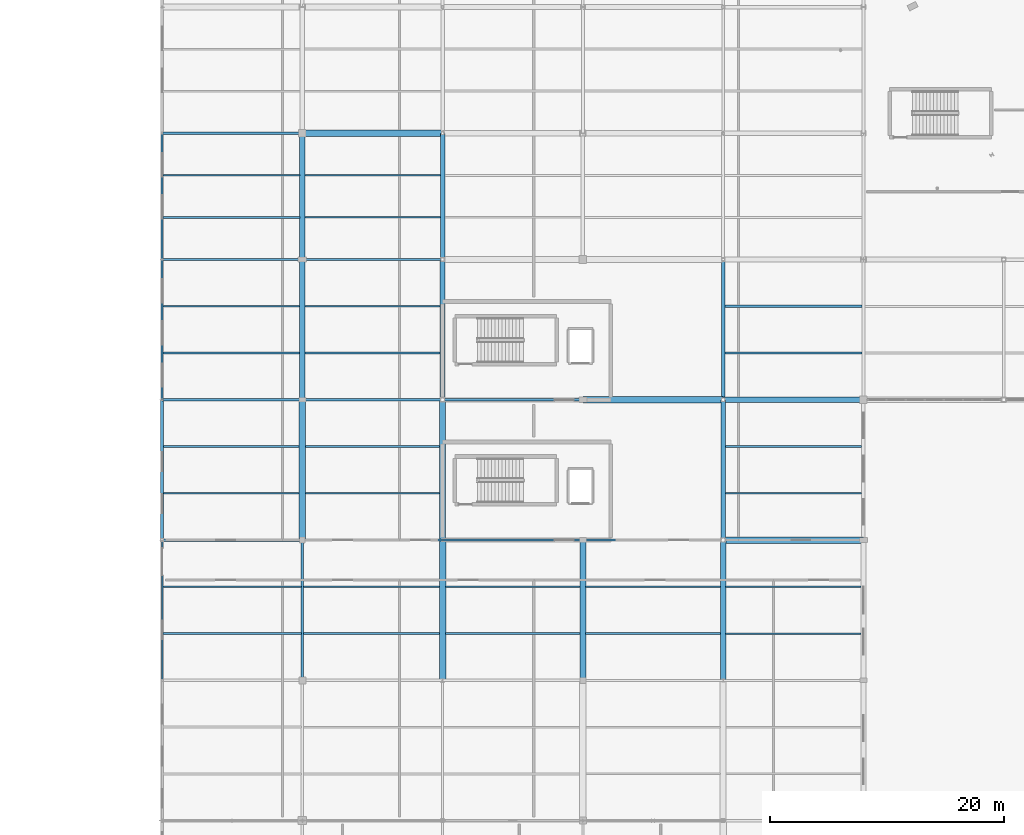
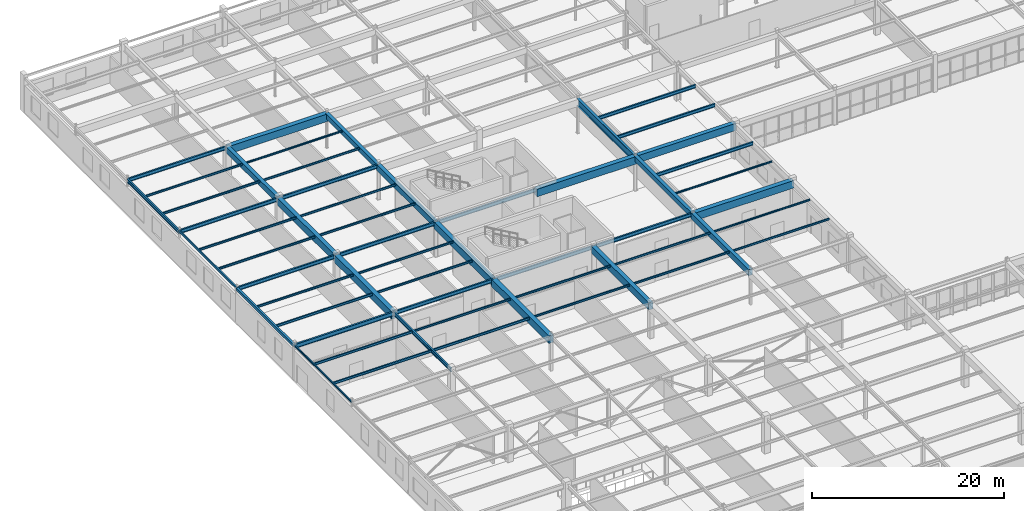
# One storey, part 81 of 199: 56 beams.
"""IFC4 building model written with IfcOpenShell, lengths in metres."""

from ifc_helpers import new_model, si_unit, direction, frame, origin, origin_2d, place, context, subcontext, project, spatial, rectangle, hollow_rectangle, i_section, extrude, material, material_profile, profile_set, type_object, element, save


model = new_model("IFC4")

# Units and contexts
model_context = context("Model", 3, precision=1e-05, world=origin(), true_north=direction((0.0, 1.0)))
body_context = subcontext(model_context, "Body", "Model", "MODEL_VIEW")
ifc_project = project(units=[si_unit("LENGTHUNIT", "METRE"), si_unit("AREAUNIT", "SQUARE_METRE"), si_unit("VOLUMEUNIT", "CUBIC_METRE"), si_unit("PLANEANGLEUNIT", "RADIAN"), si_unit("MASSUNIT", "GRAM", prefix="KILO")], contexts=[model_context])

# Site, building, storey
site_placement = place(None, origin())
site = spatial("IfcSite", under=ifc_project, at=site_placement, CompositionType="ELEMENT")
building_placement = place(site_placement, origin())
building = spatial("IfcBuilding", under=site, at=building_placement, Name="Tarnwether General Hospital", CompositionType="ELEMENT")
storey_placement = place(building_placement, origin())
storey = spatial("IfcBuildingStorey", under=building, at=storey_placement, Name="L00", CompositionType="ELEMENT", Elevation=0.0)

# Beams
ifc_material_1 = material(Name="Steel Grade 350 (350 MPa)", Category="steel")
ifc_material_profile_1 = material_profile(ifc_material_1, i_section(OverallWidth=0.300048828125, OverallDepth=0.89990234375, WebThickness=0.011962890625, FlangeThickness=0.02001953125, at=origin_2d()), Name="900WB175")
ifc_profile_set_1 = profile_set([ifc_material_profile_1], Name="Steel Grade 350 (350 MPa)")
beam_type_1 = type_object("IfcBeamType", Name="BM-G01", PredefinedType="BEAM", material=ifc_profile_set_1)
beam_1_placement = place(storey_placement, frame((48.0, 81.60009765625, 3.9951171875), z_axis=(0.0, 1.0, 0.0), x_axis=(-1.0, 0.0, 0.0)))
element("IfcBeam", 1, at=beam_1_placement, inside=storey, type_object=beam_type_1, Name="Primary Girder BMG-L00-4800_8160-4800_9360-0684", PredefinedType="BEAM", context=body_context, shape_type="SweptSolid", body=[
    extrude(i_section(OverallWidth=0.300048828125, OverallDepth=0.89990234375, WebThickness=0.011962890625, FlangeThickness=0.02001953125, at=origin_2d()), origin(), (0.0, 0.0, 1.0), 12.0),
])
ifc_material_2 = material(Name="Steel Grade 350 (350 MPa)", Category="steel")
ifc_material_profile_2 = material_profile(ifc_material_2, i_section(OverallWidth=0.208984375, OverallDepth=0.528076171875, WebThickness=0.009521484375, FlangeThickness=0.01318359375, at=origin_2d()), Name="530UB82.0")
ifc_profile_set_2 = profile_set([ifc_material_profile_2], Name="Steel Grade 350 (350 MPa)")
beam_type_2 = type_object("IfcBeamType", Name="BM-G07", PredefinedType="BEAM", material=ifc_profile_set_2)
beam_2_placement = place(storey_placement, frame((0.0, 69.60009765625, 4.180908203125), z_axis=(1.0, 0.0, 0.0), x_axis=(0.0, 1.0, 0.0)))
element("IfcBeam", 2, at=beam_2_placement, inside=storey, type_object=beam_type_2, Name="Primary Girder BMG-L00-0_6960-1200_6960-0591", PredefinedType="BEAM", context=body_context, shape_type="SweptSolid", body=[
    extrude(i_section(OverallWidth=0.208984375, OverallDepth=0.528076171875, WebThickness=0.009521484375, FlangeThickness=0.01318359375, at=origin_2d()), origin(), (0.0, 0.0, 1.0), 12.0),
])
ifc_material_3 = material(Name="Steel Grade 350 (350 MPa)", Category="steel")
ifc_material_profile_3 = material_profile(ifc_material_3, i_section(OverallWidth=0.19091796875, OverallDepth=0.4599609375, WebThickness=0.010009765625, FlangeThickness=0.01611328125, at=origin_2d()), Name="460UB82.1")
ifc_profile_set_3 = profile_set([ifc_material_profile_3], Name="Steel Grade 350 (350 MPa)")
beam_type_3 = type_object("IfcBeamType", Name="BM-G08", PredefinedType="BEAM", material=ifc_profile_set_3)
for number, where, z_axis, x_axis, name in (
    (3, (0.0, 81.60009765625, 4.215087890625), (1.0, 0.0, 0.0), (0.0, 1.0, 0.0), "Primary Girder BMG-L00-0_8160-1200_8160-0593"),
    (4, (12.0, 69.60009765625, 4.215087890625), (1.0, 0.0, 0.0), (0.0, 1.0, 0.0), "Primary Girder BMG-L00-1200_6960-2400_6960-0614"),
):
    element("IfcBeam", number, at=place(storey_placement, frame(where, z_axis=z_axis, x_axis=x_axis)), inside=storey, type_object=beam_type_3, Name=name, PredefinedType="BEAM", context=body_context, shape_type="SweptSolid", body=[
        extrude(i_section(OverallWidth=0.19091796875, OverallDepth=0.4599609375, WebThickness=0.010009765625, FlangeThickness=0.01611328125, at=origin_2d()), origin(), (0.0, 0.0, 1.0), 12.0),
    ])
ifc_material_4 = material(Name="Steel Grade 350 (350 MPa)", Category="steel")
ifc_material_profile_4 = material_profile(ifc_material_4, i_section(OverallWidth=0.18994140625, OverallDepth=0.45703125, WebThickness=0.009033203125, FlangeThickness=0.014404296875, at=origin_2d()), Name="460UB74.6")
ifc_profile_set_4 = profile_set([ifc_material_profile_4], Name="Steel Grade 350 (350 MPa)")
beam_type_4 = type_object("IfcBeamType", Name="BM-G09", PredefinedType="BEAM", material=ifc_profile_set_4)
for number, where, z_axis, x_axis, name in (
    (5, (0.0, 93.60009765625, 4.216552734375), (1.0, 0.0, 0.0), (0.0, 1.0, 0.0), "Primary Girder BMG-L00-0_9360-1200_9360-0595"),
    (6, (12.0, 81.60009765625, 4.216552734375), (1.0, 0.0, 0.0), (0.0, 1.0, 0.0), "Primary Girder BMG-L00-1200_8160-2400_8160-0616"),
    (7, (24.0, 69.60009765625, 4.216552734375), (1.0, 0.0, 0.0), (0.0, 1.0, 0.0), "Primary Girder BMG-L00-2400_6960-3600_6960-0637"),
):
    element("IfcBeam", number, at=place(storey_placement, frame(where, z_axis=z_axis, x_axis=x_axis)), inside=storey, type_object=beam_type_4, Name=name, PredefinedType="BEAM", context=body_context, shape_type="SweptSolid", body=[
        extrude(i_section(OverallWidth=0.18994140625, OverallDepth=0.45703125, WebThickness=0.009033203125, FlangeThickness=0.014404296875, at=origin_2d()), origin(), (0.0, 0.0, 1.0), 12.0),
    ])
ifc_material_5 = material(Name="Steel Grade 350 (350 MPa)", Category="steel")
ifc_material_profile_5 = material_profile(ifc_material_5, i_section(OverallWidth=0.18994140625, OverallDepth=0.4541015625, WebThickness=0.008544921875, FlangeThickness=0.0126953125, at=origin_2d()), Name="460UB67.1")
ifc_profile_set_5 = profile_set([ifc_material_profile_5], Name="Steel Grade 350 (350 MPa)")
beam_type_5 = type_object("IfcBeamType", Name="BM-G10", PredefinedType="BEAM", material=ifc_profile_set_5)
for number, where, z_axis, x_axis, name in (
    (8, (0.0, 104.39990234375, 4.218017578125), (1.0, 0.0, 0.0), (0.0, 1.0, 0.0), "Primary Girder BMG-L00-0_10440-1200_10440-0597"),
    (9, (12.0, 57.60009765625, 4.218017578125), (0.0, 1.0, 0.0), (-1.0, 0.0, 0.0), "Primary Girder BMG-L00-1200_5760-1200_6960-0613"),
    (10, (12.0, 93.60009765625, 4.218017578125), (1.0, 0.0, 0.0), (0.0, 1.0, 0.0), "Primary Girder BMG-L00-1200_9360-2400_9360-0618"),
    (11, (24.0, 81.60009765625, 4.218017578125), (1.0, 0.0, 0.0), (0.0, 1.0, 0.0), "Primary Girder BMG-L00-2400_8160-3600_8160-0639"),
    (12, (36.0, 69.60009765625, 4.218017578125), (1.0, 0.0, 0.0), (0.0, 1.0, 0.0), "Primary Girder BMG-L00-3600_6960-4800_6960-0660"),
):
    element("IfcBeam", number, at=place(storey_placement, frame(where, z_axis=z_axis, x_axis=x_axis)), inside=storey, type_object=beam_type_5, Name=name, PredefinedType="BEAM", context=body_context, shape_type="SweptSolid", body=[
        extrude(i_section(OverallWidth=0.18994140625, OverallDepth=0.4541015625, WebThickness=0.008544921875, FlangeThickness=0.0126953125, at=origin_2d()), origin(), (0.0, 0.0, 1.0), 12.0),
    ])
ifc_material_6 = material(Name="Concrete 40 MPa", Category="concrete")
ifc_material_profile_6 = material_profile(ifc_material_6, rectangle(XDim=0.550048828125, YDim=0.949951171875, at=origin_2d()), Name="RC-BM-550x950")
ifc_profile_set_6 = profile_set([ifc_material_profile_6], Name="Concrete 40 MPa")
beam_type_6 = type_object("IfcBeamType", Name="BM-G11", PredefinedType="BEAM", material=ifc_profile_set_6)
for number, where, z_axis, x_axis, name in (
    (13, (12.0, 69.60009765625, 3.969970703125), (0.0, 1.0, 0.0), (-1.0, 0.0, 0.0), "Primary Girder BMG-L00-1200_6960-1200_8160-0615"),
    (14, (12.0, 104.39990234375, 3.969970703125), (1.0, 0.0, 0.0), (0.0, 1.0, 0.0), "Primary Girder BMG-L00-1200_10440-2400_10440-0620"),
    (15, (24.0, 57.60009765625, 3.969970703125), (0.0, 1.0, 0.0), (-1.0, 0.0, 0.0), "Primary Girder BMG-L00-2400_5760-2400_6960-0636"),
    (16, (36.0, 81.60009765625, 3.969970703125), (1.0, 0.0, 0.0), (0.0, 1.0, 0.0), "Primary Girder BMG-L00-3600_8160-4800_8160-0661"),
    (17, (48.0, 69.60009765625, 3.969970703125), (1.0, 0.0, 0.0), (0.0, 1.0, 0.0), "Primary Girder BMG-L00-4800_6960-6000_6960-0681"),
):
    element("IfcBeam", number, at=place(storey_placement, frame(where, z_axis=z_axis, x_axis=x_axis)), inside=storey, type_object=beam_type_6, Name=name, PredefinedType="BEAM", context=body_context, shape_type="SweptSolid", body=[
        extrude(rectangle(XDim=0.550048828125, YDim=0.949951171875, at=origin_2d()), origin(), (0.0, 0.0, 1.0), 12.0),
    ])
ifc_material_7 = material(Name="Concrete 40 MPa", Category="concrete")
ifc_material_profile_7 = material_profile(ifc_material_7, rectangle(XDim=0.5, YDim=0.89990234375, at=origin_2d()), Name="RC-BM-500x900")
ifc_profile_set_7 = profile_set([ifc_material_profile_7], Name="Concrete 40 MPa")
beam_type_7 = type_object("IfcBeamType", Name="BM-G12", PredefinedType="BEAM", material=ifc_profile_set_7)
for number, where, z_axis, x_axis, name in (
    (18, (12.0, 81.60009765625, 3.9951171875), (0.0, 1.0, 0.0), (-1.0, 0.0, 0.0), "Primary Girder BMG-L00-1200_8160-1200_9360-0617"),
    (19, (24.0, 69.60009765625, 3.9951171875), (0.0, 1.0, 0.0), (-1.0, 0.0, 0.0), "Primary Girder BMG-L00-2400_6960-2400_8160-0638"),
    (20, (36.0, 57.60009765625, 3.9951171875), (0.0, 1.0, 0.0), (-1.0, 0.0, 0.0), "Primary Girder BMG-L00-3600_5760-3600_6960-0659"),
    (21, (48.0, 81.60009765625, 3.9951171875), (1.0, 0.0, 0.0), (0.0, 1.0, 0.0), "Primary Girder BMG-L00-4800_8160-6000_8160-0683"),
):
    element("IfcBeam", number, at=place(storey_placement, frame(where, z_axis=z_axis, x_axis=x_axis)), inside=storey, type_object=beam_type_7, Name=name, PredefinedType="BEAM", context=body_context, shape_type="SweptSolid", body=[
        extrude(rectangle(XDim=0.5, YDim=0.89990234375, at=origin_2d()), origin(), (0.0, 0.0, 1.0), 12.0),
    ])
ifc_material_8 = material(Name="Concrete 40 MPa", Category="concrete")
ifc_material_profile_8 = material_profile(ifc_material_8, rectangle(XDim=0.449951171875, YDim=0.75, at=origin_2d()), Name="RC-BM-450x750")
ifc_profile_set_8 = profile_set([ifc_material_profile_8], Name="Concrete 40 MPa")
beam_type_8 = type_object("IfcBeamType", Name="BM-G13", PredefinedType="BEAM", material=ifc_profile_set_8)
beam_3_placement = place(storey_placement, frame((12.0, 93.60009765625, 4.070068359375), z_axis=(0.0, 1.0, 0.0), x_axis=(-1.0, 0.0, 0.0)))
element("IfcBeam", 22, at=beam_3_placement, inside=storey, type_object=beam_type_8, Name="Primary Girder BMG-L00-1200_9360-1200_10440-0619", PredefinedType="BEAM", context=body_context, shape_type="SweptSolid", body=[
    extrude(rectangle(XDim=0.449951171875, YDim=0.75, at=origin_2d()), origin(), (0.0, 0.0, 1.0), 10.7998046875),
])
for number, where, z_axis, x_axis, name in (
    (23, (24.0, 81.60009765625, 4.070068359375), (0.0, 1.0, 0.0), (-1.0, 0.0, 0.0), "Primary Girder BMG-L00-2400_8160-2400_9360-0640"),
    (24, (48.0, 57.60009765625, 4.070068359375), (0.0, 1.0, 0.0), (-1.0, 0.0, 0.0), "Primary Girder BMG-L00-4800_5760-4800_6960-0680"),
):
    element("IfcBeam", number, at=place(storey_placement, frame(where, z_axis=z_axis, x_axis=x_axis)), inside=storey, type_object=beam_type_8, Name=name, PredefinedType="BEAM", context=body_context, shape_type="SweptSolid", body=[
        extrude(rectangle(XDim=0.449951171875, YDim=0.75, at=origin_2d()), origin(), (0.0, 0.0, 1.0), 12.0),
    ])
ifc_material_9 = material(Name="Concrete 40 MPa", Category="concrete")
ifc_material_profile_9 = material_profile(ifc_material_9, rectangle(XDim=0.39990234375, YDim=0.64990234375, at=origin_2d()), Name="RC-BM-400x650")
ifc_profile_set_9 = profile_set([ifc_material_profile_9], Name="Concrete 40 MPa")
beam_type_9 = type_object("IfcBeamType", Name="BM-G14", PredefinedType="BEAM", material=ifc_profile_set_9)
beam_4_placement = place(storey_placement, frame((24.0, 93.60009765625, 4.1201171875), z_axis=(0.0, 1.0, 0.0), x_axis=(-1.0, 0.0, 0.0)))
element("IfcBeam", 25, at=beam_4_placement, inside=storey, type_object=beam_type_9, Name="Primary Girder BMG-L00-2400_9360-2400_10440-0642", PredefinedType="BEAM", context=body_context, shape_type="SweptSolid", body=[
    extrude(rectangle(XDim=0.39990234375, YDim=0.64990234375, at=origin_2d()), origin(), (0.0, 0.0, 1.0), 10.7998046875),
])
beam_5_placement = place(storey_placement, frame((48.0, 69.60009765625, 4.1201171875), z_axis=(0.0, 1.0, 0.0), x_axis=(-1.0, 0.0, 0.0)))
element("IfcBeam", 26, at=beam_5_placement, inside=storey, type_object=beam_type_9, Name="Primary Girder BMG-L00-4800_6960-4800_8160-0682", PredefinedType="BEAM", context=body_context, shape_type="SweptSolid", body=[
    extrude(rectangle(XDim=0.39990234375, YDim=0.64990234375, at=origin_2d()), origin(), (0.0, 0.0, 1.0), 12.0),
])
ifc_material_10 = material(Name="Steel Grade 350 (350 MPa)", Category="steel")
ifc_material_profile_10 = material_profile(ifc_material_10, i_section(OverallWidth=0.177978515625, OverallDepth=0.406005859375, WebThickness=0.0078125, FlangeThickness=0.0126953125, at=origin_2d()), Name="410UB59.7")
ifc_profile_set_10 = profile_set([ifc_material_profile_10], Name="Steel Grade 350 (350 MPa)")
beam_type_10 = type_object("IfcBeamType", Name="BM-J01", PredefinedType="JOIST", material=ifc_profile_set_10)
beam_6_placement = place(storey_placement, frame((48.194091796875, 77.60009765625, 4.241943359375), z_axis=(1.0, 0.0, 0.0), x_axis=(0.0, 1.0, 0.0)))
element("IfcBeam", 27, at=beam_6_placement, inside=storey, type_object=beam_type_10, Name="Composite Floor Joist BMG-L00-4819_7760-5986_7760-0956", PredefinedType="JOIST", context=body_context, shape_type="SweptSolid", body=[
    extrude(i_section(OverallWidth=0.177978515625, OverallDepth=0.406005859375, WebThickness=0.0078125, FlangeThickness=0.0126953125, at=origin_2d()), origin(), (0.0, 0.0, 1.0), 11.661865234375),
])
beam_7_placement = place(storey_placement, frame((48.14404296875, 85.60009765625, 4.241943359375), z_axis=(1.0, 0.0, 0.0), x_axis=(0.0, 1.0, 0.0)))
element("IfcBeam", 28, at=beam_7_placement, inside=storey, type_object=beam_type_10, Name="Composite Floor Joist BMG-L00-4814_8560-5988_8560-0957", PredefinedType="JOIST", context=body_context, shape_type="SweptSolid", body=[
    extrude(i_section(OverallWidth=0.177978515625, OverallDepth=0.406005859375, WebThickness=0.0078125, FlangeThickness=0.0126953125, at=origin_2d()), origin(), (0.0, 0.0, 1.0), 11.737060546875),
])
ifc_material_11 = material(Name="Steel Grade 350 (350 MPa)", Category="steel")
ifc_material_profile_11 = material_profile(ifc_material_11, i_section(OverallWidth=0.177978515625, OverallDepth=0.403076171875, WebThickness=0.007568359375, FlangeThickness=0.010986328125, at=origin_2d()), Name="410UB53.7")
ifc_profile_set_11 = profile_set([ifc_material_profile_11], Name="Steel Grade 350 (350 MPa)")
beam_type_11 = type_object("IfcBeamType", Name="BM-J02", PredefinedType="JOIST", material=ifc_profile_set_11)
beam_8_placement = place(storey_placement, frame((48.14404296875, 89.60009765625, 4.243408203125), z_axis=(1.0, 0.0, 0.0), x_axis=(0.0, 1.0, 0.0)))
element("IfcBeam", 29, at=beam_8_placement, inside=storey, type_object=beam_type_11, Name="Composite Floor Joist BMG-L00-4814_8960-5988_8960-0958", PredefinedType="JOIST", context=body_context, shape_type="SweptSolid", body=[
    extrude(i_section(OverallWidth=0.177978515625, OverallDepth=0.403076171875, WebThickness=0.007568359375, FlangeThickness=0.010986328125, at=origin_2d()), origin(), (0.0, 0.0, 1.0), 11.737060546875),
])
ifc_material_12 = material(Name="Steel Grade 350 (350 MPa)", Category="steel")
ifc_material_profile_12 = material_profile(ifc_material_12, i_section(OverallWidth=0.1650390625, OverallDepth=0.303955078125, WebThickness=0.006103515625, FlangeThickness=0.01025390625, at=origin_2d()), Name="310UB40.4")
ifc_profile_set_12 = profile_set([ifc_material_profile_12], Name="Steel Grade 350 (350 MPa)")
beam_type_12 = type_object("IfcBeamType", Name="BM-J07", PredefinedType="JOIST", material=ifc_profile_set_12)
beam_9_placement = place(storey_placement, frame((0.080078125, 61.60009765625, 4.29296875), z_axis=(1.0, 0.0, 0.0), x_axis=(0.0, 1.0, 0.0)))
element("IfcBeam", 30, at=beam_9_placement, inside=storey, type_object=beam_type_12, Name="Composite Floor Joist BMG-L00-8_6160-1191_6160-0873", PredefinedType="JOIST", context=body_context, shape_type="SweptSolid", body=[
    extrude(i_section(OverallWidth=0.1650390625, OverallDepth=0.303955078125, WebThickness=0.006103515625, FlangeThickness=0.01025390625, at=origin_2d()), origin(), (0.0, 0.0, 1.0), 11.830810546875),
])
ifc_material_13 = material(Name="Steel Grade 350 (350 MPa)", Category="steel")
ifc_material_profile_13 = material_profile(ifc_material_13, i_section(OverallWidth=0.14892578125, OverallDepth=0.298095703125, WebThickness=0.005615234375, FlangeThickness=0.008056640625, at=origin_2d()), Name="310UB32.0")
ifc_profile_set_13 = profile_set([ifc_material_profile_13], Name="Steel Grade 350 (350 MPa)")
beam_type_13 = type_object("IfcBeamType", Name="BM-J08", PredefinedType="JOIST", material=ifc_profile_set_13)
beam_10_placement = place(storey_placement, frame((0.080078125, 65.60009765625, 4.2958984375), z_axis=(1.0, 0.0, 0.0), x_axis=(0.0, 1.0, 0.0)))
element("IfcBeam", 31, at=beam_10_placement, inside=storey, type_object=beam_type_13, Name="Composite Floor Joist BMG-L00-8_6560-1191_6560-0874", PredefinedType="JOIST", context=body_context, shape_type="SweptSolid", body=[
    extrude(i_section(OverallWidth=0.14892578125, OverallDepth=0.298095703125, WebThickness=0.005615234375, FlangeThickness=0.008056640625, at=origin_2d()), origin(), (0.0, 0.0, 1.0), 11.830810546875),
])
beam_11_placement = place(storey_placement, frame((0.118896484375, 73.60009765625, 4.2958984375), z_axis=(1.0, 0.0, 0.0), x_axis=(0.0, 1.0, 0.0)))
element("IfcBeam", 32, at=beam_11_placement, inside=storey, type_object=beam_type_13, Name="Composite Floor Joist BMG-L00-12_7360-1173_7360-0875", PredefinedType="JOIST", context=body_context, shape_type="SweptSolid", body=[
    extrude(i_section(OverallWidth=0.14892578125, OverallDepth=0.298095703125, WebThickness=0.005615234375, FlangeThickness=0.008056640625, at=origin_2d()), origin(), (0.0, 0.0, 1.0), 11.612060546875),
])
beam_12_placement = place(storey_placement, frame((12.089111328125, 61.60009765625, 4.2958984375), z_axis=(1.0, 0.0, 0.0), x_axis=(0.0, 1.0, 0.0)))
element("IfcBeam", 33, at=beam_12_placement, inside=storey, type_object=beam_type_13, Name="Composite Floor Joist BMG-L00-1209_6160-2373_6160-0895", PredefinedType="JOIST", context=body_context, shape_type="SweptSolid", body=[
    extrude(i_section(OverallWidth=0.14892578125, OverallDepth=0.298095703125, WebThickness=0.005615234375, FlangeThickness=0.008056640625, at=origin_2d()), origin(), (0.0, 0.0, 1.0), 11.641845703125),
])
ifc_material_14 = material(Name="Steel Grade 350 (350 MPa)", Category="steel")
ifc_material_profile_14 = material_profile(ifc_material_14, i_section(OverallWidth=0.14599609375, OverallDepth=0.256103515625, WebThickness=0.00634765625, FlangeThickness=0.010986328125, at=origin_2d()), Name="250UB37.3")
ifc_profile_set_14 = profile_set([ifc_material_profile_14], Name="Steel Grade 350 (350 MPa)")
beam_type_14 = type_object("IfcBeamType", Name="BM-J09", PredefinedType="JOIST", material=ifc_profile_set_14)
beam_13_placement = place(storey_placement, frame((0.118896484375, 77.60009765625, 4.31689453125), z_axis=(1.0, 0.0, 0.0), x_axis=(0.0, 1.0, 0.0)))
element("IfcBeam", 34, at=beam_13_placement, inside=storey, type_object=beam_type_14, Name="Composite Floor Joist BMG-L00-12_7760-1173_7760-0876", PredefinedType="JOIST", context=body_context, shape_type="SweptSolid", body=[
    extrude(i_section(OverallWidth=0.14599609375, OverallDepth=0.256103515625, WebThickness=0.00634765625, FlangeThickness=0.010986328125, at=origin_2d()), origin(), (0.0, 0.0, 1.0), 11.612060546875),
])
beam_14_placement = place(storey_placement, frame((0.080078125, 85.60009765625, 4.31689453125), z_axis=(1.0, 0.0, 0.0), x_axis=(0.0, 1.0, 0.0)))
element("IfcBeam", 35, at=beam_14_placement, inside=storey, type_object=beam_type_14, Name="Composite Floor Joist BMG-L00-8_8560-1176_8560-0877", PredefinedType="JOIST", context=body_context, shape_type="SweptSolid", body=[
    extrude(i_section(OverallWidth=0.14599609375, OverallDepth=0.256103515625, WebThickness=0.00634765625, FlangeThickness=0.010986328125, at=origin_2d()), origin(), (0.0, 0.0, 1.0), 11.676025390625),
])
beam_15_placement = place(storey_placement, frame((12.089111328125, 65.60009765625, 4.31689453125), z_axis=(1.0, 0.0, 0.0), x_axis=(0.0, 1.0, 0.0)))
element("IfcBeam", 36, at=beam_15_placement, inside=storey, type_object=beam_type_14, Name="Composite Floor Joist BMG-L00-1209_6560-2373_6560-0896", PredefinedType="JOIST", context=body_context, shape_type="SweptSolid", body=[
    extrude(i_section(OverallWidth=0.14599609375, OverallDepth=0.256103515625, WebThickness=0.00634765625, FlangeThickness=0.010986328125, at=origin_2d()), origin(), (0.0, 0.0, 1.0), 11.641845703125),
])
for number, where, z_axis, x_axis, name in (
    (37, (12.26904296875, 73.60009765625, 4.31689453125), (1.0, 0.0, 0.0), (0.0, 1.0, 0.0), "Composite Floor Joist BMG-L00-1227_7360-2376_7360-0897"),
    (38, (24.26904296875, 61.60009765625, 4.31689453125), (1.0, 0.0, 0.0), (0.0, 1.0, 0.0), "Composite Floor Joist BMG-L00-2427_6160-3576_6160-0917"),
):
    element("IfcBeam", number, at=place(storey_placement, frame(where, z_axis=z_axis, x_axis=x_axis)), inside=storey, type_object=beam_type_14, Name=name, PredefinedType="JOIST", context=body_context, shape_type="SweptSolid", body=[
        extrude(i_section(OverallWidth=0.14599609375, OverallDepth=0.256103515625, WebThickness=0.00634765625, FlangeThickness=0.010986328125, at=origin_2d()), origin(), (0.0, 0.0, 1.0), 11.487060546875),
    ])
ifc_material_15 = material(Name="Steel Grade 350 (350 MPa)", Category="steel")
ifc_material_profile_15 = material_profile(ifc_material_15, i_section(OverallWidth=0.14599609375, OverallDepth=0.251953125, WebThickness=0.006103515625, FlangeThickness=0.008544921875, at=origin_2d()), Name="250UB31.4")
ifc_profile_set_15 = profile_set([ifc_material_profile_15], Name="Steel Grade 350 (350 MPa)")
beam_type_15 = type_object("IfcBeamType", Name="BM-J10", PredefinedType="JOIST", material=ifc_profile_set_15)
beam_16_placement = place(storey_placement, frame((0.080078125, 89.60009765625, 4.319091796875), z_axis=(1.0, 0.0, 0.0), x_axis=(0.0, 1.0, 0.0)))
element("IfcBeam", 39, at=beam_16_placement, inside=storey, type_object=beam_type_15, Name="Composite Floor Joist BMG-L00-8_8960-1176_8960-0878", PredefinedType="JOIST", context=body_context, shape_type="SweptSolid", body=[
    extrude(i_section(OverallWidth=0.14599609375, OverallDepth=0.251953125, WebThickness=0.006103515625, FlangeThickness=0.008544921875, at=origin_2d()), origin(), (0.0, 0.0, 1.0), 11.676025390625),
])
beam_17_placement = place(storey_placement, frame((0.089111328125, 97.199951171875, 4.319091796875), z_axis=(1.0, 0.0, 0.0), x_axis=(0.0, 1.0, 0.0)))
element("IfcBeam", 40, at=beam_17_placement, inside=storey, type_object=beam_type_15, Name="Composite Floor Joist BMG-L00-9_9720-1178_9720-0879", PredefinedType="JOIST", context=body_context, shape_type="SweptSolid", body=[
    extrude(i_section(OverallWidth=0.14599609375, OverallDepth=0.251953125, WebThickness=0.006103515625, FlangeThickness=0.008544921875, at=origin_2d()), origin(), (0.0, 0.0, 1.0), 11.69189453125),
])
beam_18_placement = place(storey_placement, frame((12.26904296875, 77.60009765625, 4.319091796875), z_axis=(1.0, 0.0, 0.0), x_axis=(0.0, 1.0, 0.0)))
element("IfcBeam", 41, at=beam_18_placement, inside=storey, type_object=beam_type_15, Name="Composite Floor Joist BMG-L00-1227_7760-2376_7760-0898", PredefinedType="JOIST", context=body_context, shape_type="SweptSolid", body=[
    extrude(i_section(OverallWidth=0.14599609375, OverallDepth=0.251953125, WebThickness=0.006103515625, FlangeThickness=0.008544921875, at=origin_2d()), origin(), (0.0, 0.0, 1.0), 11.487060546875),
])
beam_19_placement = place(storey_placement, frame((12.243896484375, 85.60009765625, 4.319091796875), z_axis=(1.0, 0.0, 0.0), x_axis=(0.0, 1.0, 0.0)))
element("IfcBeam", 42, at=beam_19_placement, inside=storey, type_object=beam_type_15, Name="Composite Floor Joist BMG-L00-1224_8560-2378_8560-0899", PredefinedType="JOIST", context=body_context, shape_type="SweptSolid", body=[
    extrude(i_section(OverallWidth=0.14599609375, OverallDepth=0.251953125, WebThickness=0.006103515625, FlangeThickness=0.008544921875, at=origin_2d()), origin(), (0.0, 0.0, 1.0), 11.537109375),
])
beam_20_placement = place(storey_placement, frame((24.26904296875, 65.60009765625, 4.319091796875), z_axis=(1.0, 0.0, 0.0), x_axis=(0.0, 1.0, 0.0)))
element("IfcBeam", 43, at=beam_20_placement, inside=storey, type_object=beam_type_15, Name="Composite Floor Joist BMG-L00-2427_6560-3576_6560-0918", PredefinedType="JOIST", context=body_context, shape_type="SweptSolid", body=[
    extrude(i_section(OverallWidth=0.14599609375, OverallDepth=0.251953125, WebThickness=0.006103515625, FlangeThickness=0.008544921875, at=origin_2d()), origin(), (0.0, 0.0, 1.0), 11.487060546875),
])
beam_21_placement = place(storey_placement, frame((36.243896484375, 61.60009765625, 4.319091796875), z_axis=(1.0, 0.0, 0.0), x_axis=(0.0, 1.0, 0.0)))
element("IfcBeam", 44, at=beam_21_placement, inside=storey, type_object=beam_type_15, Name="Composite Floor Joist BMG-L00-3624_6160-4778_6160-0935", PredefinedType="JOIST", context=body_context, shape_type="SweptSolid", body=[
    extrude(i_section(OverallWidth=0.14599609375, OverallDepth=0.251953125, WebThickness=0.006103515625, FlangeThickness=0.008544921875, at=origin_2d()), origin(), (0.0, 0.0, 1.0), 11.537109375),
])
ifc_material_16 = material(Name="Steel Grade 350 (350 MPa)", Category="steel")
ifc_material_profile_16 = material_profile(ifc_material_16, i_section(OverallWidth=0.1240234375, OverallDepth=0.248046875, WebThickness=0.0048828125, FlangeThickness=0.008056640625, at=origin_2d()), Name="250UB25.7")
ifc_profile_set_16 = profile_set([ifc_material_profile_16], Name="Steel Grade 350 (350 MPa)")
beam_type_16 = type_object("IfcBeamType", Name="BM-J11", PredefinedType="JOIST", material=ifc_profile_set_16)
beam_22_placement = place(storey_placement, frame((0.089111328125, 100.800048828125, 4.321044921875), z_axis=(1.0, 0.0, 0.0), x_axis=(0.0, 1.0, 0.0)))
element("IfcBeam", 45, at=beam_22_placement, inside=storey, type_object=beam_type_16, Name="Composite Floor Joist BMG-L00-9_10080-1178_10080-0880", PredefinedType="JOIST", context=body_context, shape_type="SweptSolid", body=[
    extrude(i_section(OverallWidth=0.1240234375, OverallDepth=0.248046875, WebThickness=0.0048828125, FlangeThickness=0.008056640625, at=origin_2d()), origin(), (0.0, 0.0, 1.0), 11.69189453125),
])
beam_23_placement = place(storey_placement, frame((12.243896484375, 89.60009765625, 4.321044921875), z_axis=(1.0, 0.0, 0.0), x_axis=(0.0, 1.0, 0.0)))
element("IfcBeam", 46, at=beam_23_placement, inside=storey, type_object=beam_type_16, Name="Composite Floor Joist BMG-L00-1224_8960-2378_8960-0900", PredefinedType="JOIST", context=body_context, shape_type="SweptSolid", body=[
    extrude(i_section(OverallWidth=0.1240234375, OverallDepth=0.248046875, WebThickness=0.0048828125, FlangeThickness=0.008056640625, at=origin_2d()), origin(), (0.0, 0.0, 1.0), 11.537109375),
])
beam_24_placement = place(storey_placement, frame((12.218994140625, 97.199951171875, 4.321044921875), z_axis=(1.0, 0.0, 0.0), x_axis=(0.0, 1.0, 0.0)))
element("IfcBeam", 47, at=beam_24_placement, inside=storey, type_object=beam_type_16, Name="Composite Floor Joist BMG-L00-1222_9720-2381_9720-0901", PredefinedType="JOIST", context=body_context, shape_type="SweptSolid", body=[
    extrude(i_section(OverallWidth=0.1240234375, OverallDepth=0.248046875, WebThickness=0.0048828125, FlangeThickness=0.008056640625, at=origin_2d()), origin(), (0.0, 0.0, 1.0), 11.5869140625),
])
beam_25_placement = place(storey_placement, frame((36.243896484375, 65.60009765625, 4.321044921875), z_axis=(1.0, 0.0, 0.0), x_axis=(0.0, 1.0, 0.0)))
element("IfcBeam", 48, at=beam_25_placement, inside=storey, type_object=beam_type_16, Name="Composite Floor Joist BMG-L00-3624_6560-4778_6560-0936", PredefinedType="JOIST", context=body_context, shape_type="SweptSolid", body=[
    extrude(i_section(OverallWidth=0.1240234375, OverallDepth=0.248046875, WebThickness=0.0048828125, FlangeThickness=0.008056640625, at=origin_2d()), origin(), (0.0, 0.0, 1.0), 11.537109375),
])
beam_26_placement = place(storey_placement, frame((48.218994140625, 61.60009765625, 4.321044921875), z_axis=(1.0, 0.0, 0.0), x_axis=(0.0, 1.0, 0.0)))
element("IfcBeam", 49, at=beam_26_placement, inside=storey, type_object=beam_type_16, Name="Composite Floor Joist BMG-L00-4822_6160-5981_6160-0953", PredefinedType="JOIST", context=body_context, shape_type="SweptSolid", body=[
    extrude(i_section(OverallWidth=0.1240234375, OverallDepth=0.248046875, WebThickness=0.0048828125, FlangeThickness=0.008056640625, at=origin_2d()), origin(), (0.0, 0.0, 1.0), 11.5869140625),
])
ifc_material_17 = material(Name="Steel Grade 350 (350 MPa)", Category="steel")
ifc_material_profile_17 = material_profile(ifc_material_17, i_section(OverallWidth=0.134033203125, OverallDepth=0.20703125, WebThickness=0.00634765625, FlangeThickness=0.009521484375, at=origin_2d()), Name="200UB29.8")
ifc_profile_set_17 = profile_set([ifc_material_profile_17], Name="Steel Grade 350 (350 MPa)")
beam_type_17 = type_object("IfcBeamType", Name="BM-J12", PredefinedType="JOIST", material=ifc_profile_set_17)
for number, where, z_axis, x_axis, name in (
    (50, (12.218994140625, 100.800048828125, 4.341552734375), (1.0, 0.0, 0.0), (0.0, 1.0, 0.0), "Composite Floor Joist BMG-L00-1222_10080-2381_10080-0902"),
    (51, (48.218994140625, 65.60009765625, 4.341552734375), (1.0, 0.0, 0.0), (0.0, 1.0, 0.0), "Composite Floor Joist BMG-L00-4822_6560-5981_6560-0954"),
):
    element("IfcBeam", number, at=place(storey_placement, frame(where, z_axis=z_axis, x_axis=x_axis)), inside=storey, type_object=beam_type_17, Name=name, PredefinedType="JOIST", context=body_context, shape_type="SweptSolid", body=[
        extrude(i_section(OverallWidth=0.134033203125, OverallDepth=0.20703125, WebThickness=0.00634765625, FlangeThickness=0.009521484375, at=origin_2d()), origin(), (0.0, 0.0, 1.0), 11.5869140625),
    ])
beam_27_placement = place(storey_placement, frame((48.194091796875, 73.60009765625, 4.341552734375), z_axis=(1.0, 0.0, 0.0), x_axis=(0.0, 1.0, 0.0)))
element("IfcBeam", 52, at=beam_27_placement, inside=storey, type_object=beam_type_17, Name="Composite Floor Joist BMG-L00-4819_7360-5986_7360-0955", PredefinedType="JOIST", context=body_context, shape_type="SweptSolid", body=[
    extrude(i_section(OverallWidth=0.134033203125, OverallDepth=0.20703125, WebThickness=0.00634765625, FlangeThickness=0.009521484375, at=origin_2d()), origin(), (0.0, 0.0, 1.0), 11.661865234375),
])
ifc_material_18 = material(Name="Steel Grade 350 (350 MPa)", Category="steel")
ifc_material_profile_18 = material_profile(ifc_material_18, i_section(OverallWidth=0.18994140625, OverallDepth=0.4541015625, WebThickness=0.008544921875, FlangeThickness=0.0126953125, at=origin_2d()), Name="460UB67.1")
ifc_profile_set_18 = profile_set([ifc_material_profile_18], Name="Steel Grade 350 (350 MPa)")
beam_type_18 = type_object("IfcBeamType", Name="BM-SP1", PredefinedType="SPANDREL", material=ifc_profile_set_18)
beam_28_placement = place(storey_placement, frame((0.0, 93.60009765625, 4.218017578125), z_axis=(0.0, 1.0, 0.0), x_axis=(-1.0, 0.0, 0.0)))
element("IfcBeam", 53, at=beam_28_placement, inside=storey, type_object=beam_type_18, Name="Primary Girder BMG-L00-0_9360-0_10440-0596", PredefinedType="SPANDREL", context=body_context, shape_type="SweptSolid", body=[
    extrude(i_section(OverallWidth=0.18994140625, OverallDepth=0.4541015625, WebThickness=0.008544921875, FlangeThickness=0.0126953125, at=origin_2d()), origin(), (0.0, 0.0, 1.0), 10.7998046875),
])
ifc_material_19 = material(Name="Steel Grade 350 (350 MPa)", Category="steel")
ifc_material_profile_19 = material_profile(ifc_material_19, i_section(OverallWidth=0.133056640625, OverallDepth=0.201904296875, WebThickness=0.0048828125, FlangeThickness=0.007080078125, at=origin_2d()), Name="200UB22.3")
ifc_profile_set_19 = profile_set([ifc_material_profile_19], Name="Steel Grade 350 (350 MPa)")
beam_type_19 = type_object("IfcBeamType", Name="BM-SP6", PredefinedType="SPANDREL", material=ifc_profile_set_19)
beam_29_placement = place(storey_placement, frame((0.0, 57.60009765625, 4.343994140625), z_axis=(0.0, 1.0, 0.0), x_axis=(-1.0, 0.0, 0.0)))
element("IfcBeam", 54, at=beam_29_placement, inside=storey, type_object=beam_type_19, Name="Primary Girder BMG-L00-0_5760-0_6960-0590", PredefinedType="SPANDREL", context=body_context, shape_type="SweptSolid", body=[
    extrude(i_section(OverallWidth=0.133056640625, OverallDepth=0.201904296875, WebThickness=0.0048828125, FlangeThickness=0.007080078125, at=origin_2d()), origin(), (0.0, 0.0, 1.0), 12.0),
])
ifc_material_20 = material(Name="Steel Grade C350L0 (350 MPa)", Category="steel")
ifc_material_profile_20 = material_profile(ifc_material_20, hollow_rectangle(XDim=0.25, YDim=0.35009765625, WallThickness=0.012451171875, at=origin_2d()), Name="RHS350x250x12.5")
ifc_profile_set_20 = profile_set([ifc_material_profile_20], Name="Steel Grade C350L0 (350 MPa)")
beam_type_20 = type_object("IfcBeamType", Name="BM-SP7", PredefinedType="SPANDREL", material=ifc_profile_set_20)
beam_30_placement = place(storey_placement, frame((0.0, 69.60009765625, 4.27001953125), z_axis=(0.0, 1.0, 0.0), x_axis=(-1.0, 0.0, 0.0)))
element("IfcBeam", 55, at=beam_30_placement, inside=storey, type_object=beam_type_20, Name="Primary Girder BMG-L00-0_6960-0_8160-0592", PredefinedType="SPANDREL", context=body_context, shape_type="SweptSolid", body=[
    extrude(hollow_rectangle(XDim=0.25, YDim=0.35009765625, WallThickness=0.012451171875, at=origin_2d()), origin(), (0.0, 0.0, 1.0), 12.0),
])
ifc_material_21 = material(Name="Steel Grade C350L0 (350 MPa)", Category="steel")
ifc_material_profile_21 = material_profile(ifc_material_21, hollow_rectangle(XDim=0.14990234375, YDim=0.25, WallThickness=0.008056640625, at=origin_2d()), Name="RHS250x150x8")
ifc_profile_set_21 = profile_set([ifc_material_profile_21], Name="Steel Grade C350L0 (350 MPa)")
beam_type_21 = type_object("IfcBeamType", Name="BM-SP8", PredefinedType="SPANDREL", material=ifc_profile_set_21)
beam_31_placement = place(storey_placement, frame((0.0, 81.60009765625, 4.320068359375), z_axis=(0.0, 1.0, 0.0), x_axis=(-1.0, 0.0, 0.0)))
element("IfcBeam", 56, at=beam_31_placement, inside=storey, type_object=beam_type_21, Name="Primary Girder BMG-L00-0_8160-0_9360-0594", PredefinedType="SPANDREL", context=body_context, shape_type="SweptSolid", body=[
    extrude(hollow_rectangle(XDim=0.14990234375, YDim=0.25, WallThickness=0.008056640625, at=origin_2d()), origin(), (0.0, 0.0, 1.0), 12.0),
])

save(model, "model.ifc")
